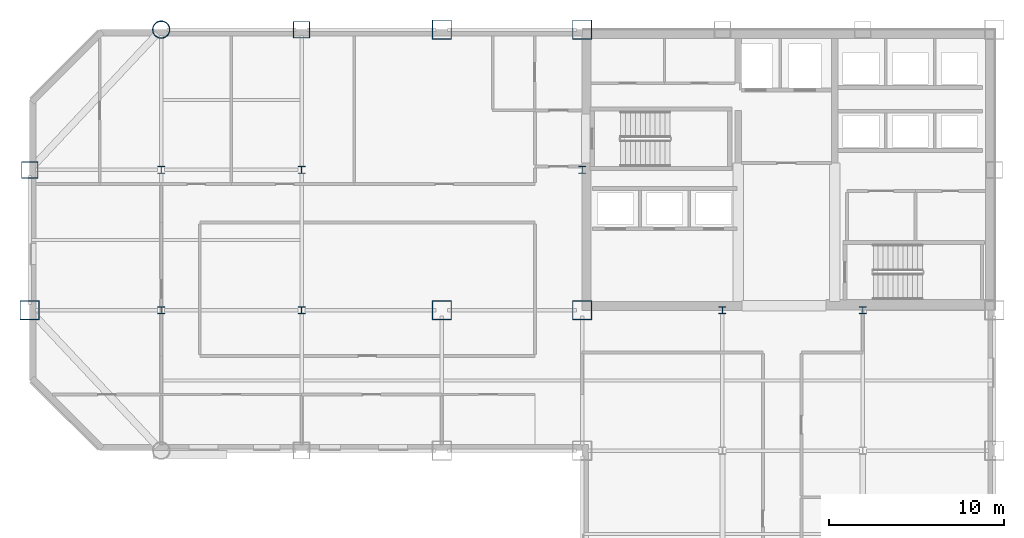
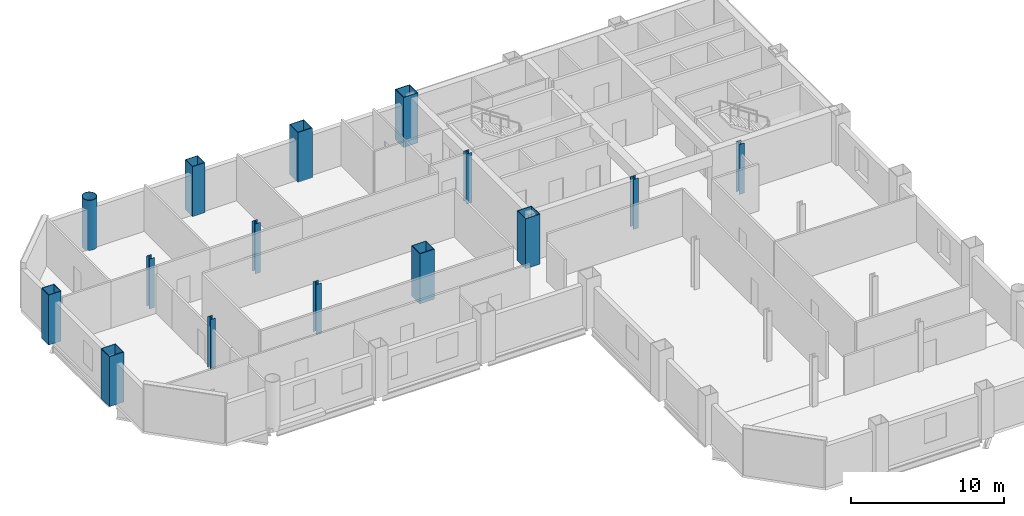
# One storey, part 3 of 10: 15 columns.
"""IFC4 building model written with IfcOpenShell, lengths in metres."""

from ifc_helpers import new_model, si_unit, direction, frame, origin, origin_2d, place, context, subcontext, project, spatial, hollow_rectangle, hollow_circle, i_section, extrude, material, material_profile, profile_set, type_object, element, save


model = new_model("IFC4")

# Units and contexts
model_context = context("Model", 3, precision=1e-05, world=origin(), true_north=direction((0.0, 1.0)))
body_context = subcontext(model_context, "Body", "Model", "MODEL_VIEW")
ifc_project = project(units=[si_unit("LENGTHUNIT", "METRE"), si_unit("AREAUNIT", "SQUARE_METRE"), si_unit("VOLUMEUNIT", "CUBIC_METRE"), si_unit("PLANEANGLEUNIT", "RADIAN"), si_unit("MASSUNIT", "GRAM", prefix="KILO")], contexts=[model_context])

# Site, building, storey
site_placement = place(None, origin())
site = spatial("IfcSite", under=ifc_project, at=site_placement, CompositionType="ELEMENT")
building_placement = place(site_placement, origin())
building = spatial("IfcBuilding", under=site, at=building_placement, Name="Qianrong Seaharbour Tower", CompositionType="ELEMENT")
storey_placement = place(building_placement, frame((0.0, 0.0, 167.0)))
storey = spatial("IfcBuildingStorey", under=building, at=storey_placement, Name="L40", CompositionType="ELEMENT", Elevation=167.0)

# Columns
ifc_material = material(Name="Structural steel SN490B", Category="steel")
ifc_material_profile_1 = material_profile(ifc_material, hollow_rectangle(XDim=1.10009765625, YDim=1.10009765625, WallThickness=0.0400390625, at=origin_2d()), Name="BOX1100x1100x40")
ifc_profile_set_1 = profile_set([ifc_material_profile_1], Name="Structural steel SN490B")
column_type_1 = type_object("IfcColumnType", Name="COL-CFT-1100", PredefinedType="COLUMN", material=ifc_profile_set_1)
for number, where, z_axis, x_axis, name in (
    (1, (9.0, 36.0, 0.0), (0.0, 0.0, 1.0), (1.0, 0.0, 0.0), "L40 Column MC-3 at G2/GF"),
    (2, (32.5, 36.0, 0.0), (0.0, 0.0, 1.0), (1.0, 0.0, 0.0), "L40 Column MC-3 at G5/GF"),
    (3, (32.5, 52.0, 0.0), (0.0, 0.0, 1.0), (1.0, 0.0, 0.0), "L40 Column MC-3 at G5/GH"),
    (4, (40.5, 36.0, 0.0), (0.0, 0.0, 1.0), (1.0, 0.0, 0.0), "L40 Column MC-3 at G6/GF"),
    (5, (40.5, 52.0, 0.0), (0.0, 0.0, 1.0), (1.0, 0.0, 0.0), "L40 Column MC-3 at G6/GH"),
):
    element("IfcColumn", number, at=place(storey_placement, frame(where, z_axis=z_axis, x_axis=x_axis)), inside=storey, type_object=column_type_1, Name=name, PredefinedType="COLUMN", context=body_context, shape_type="SweptSolid", body=[
        extrude(hollow_rectangle(XDim=1.10009765625, YDim=1.10009765625, WallThickness=0.0400390625, at=origin_2d()), origin(), (0.0, 0.0, 1.0), 4.0),
    ])
ifc_material_profile_2 = material_profile(ifc_material, hollow_circle(Radius=0.5, WallThickness=0.035888671875, at=origin_2d()), Name="CHS1000x36")
ifc_profile_set_2 = profile_set([ifc_material_profile_2], Name="Structural steel SN490B")
column_type_2 = type_object("IfcColumnType", Name="COL-CHS-1000", PredefinedType="COLUMN", material=ifc_profile_set_2)
column_placement = place(storey_placement, frame((16.5, 52.0, 0.0), z_axis=(0.0, 0.0, 1.0), x_axis=(1.0, 0.0, 0.0)))
element("IfcColumn", 6, at=column_placement, inside=storey, type_object=column_type_2, Name="L40 Column CC-2 at G3/GH", PredefinedType="COLUMN", context=body_context, shape_type="SweptSolid", body=[
    extrude(hollow_circle(Radius=0.5, WallThickness=0.035888671875, at=origin_2d()), origin(), (0.0, 0.0, 1.0), 4.0),
])
ifc_material_profile_3 = material_profile(ifc_material, i_section(OverallWidth=0.39990234375, OverallDepth=0.39990234375, WebThickness=0.012939453125, FlangeThickness=0.02099609375, FilletRadius=0.02197265625, at=origin_2d()), Name="H400x400x13x21")
ifc_profile_set_3 = profile_set([ifc_material_profile_3], Name="Structural steel SN490B")
column_type_3 = type_object("IfcColumnType", Name="COL-INT-H400", PredefinedType="COLUMN", material=ifc_profile_set_3)
for number, where, z_axis, x_axis, name in (
    (7, (16.5, 36.0, 0.0), (0.0, 0.0, 1.0), (1.0, 0.0, 0.0), "L40 Column IC-3 at G3/GF"),
    (8, (16.5, 44.0, 0.0), (0.0, 0.0, 1.0), (1.0, 0.0, 0.0), "L40 Column IC-3 at G3/GG"),
    (9, (24.5, 36.0, 0.0), (0.0, 0.0, 1.0), (1.0, 0.0, 0.0), "L40 Column IC-3 at G4/GF"),
    (10, (24.5, 44.0, 0.0), (0.0, 0.0, 1.0), (1.0, 0.0, 0.0), "L40 Column IC-3 at G4/GG"),
    (11, (40.5, 44.0, 0.0), (0.0, 0.0, 1.0), (1.0, 0.0, 0.0), "L40 Column IC-3 at G6/GG"),
    (12, (48.5, 36.0, 0.0), (0.0, 0.0, 1.0), (1.0, 0.0, 0.0), "L40 Column IC-3 at G7/GF"),
    (13, (56.5, 36.0, 0.0), (0.0, 0.0, 1.0), (1.0, 0.0, 0.0), "L40 Column IC-3 at G8/GF"),
):
    element("IfcColumn", number, at=place(storey_placement, frame(where, z_axis=z_axis, x_axis=x_axis)), inside=storey, type_object=column_type_3, Name=name, PredefinedType="COLUMN", context=body_context, shape_type="SweptSolid", body=[
        extrude(i_section(OverallWidth=0.39990234375, OverallDepth=0.39990234375, WebThickness=0.012939453125, FlangeThickness=0.02099609375, FilletRadius=0.02197265625, at=origin_2d()), origin(), (0.0, 0.0, 1.0), 4.0),
    ])
ifc_material_profile_4 = material_profile(ifc_material, hollow_rectangle(XDim=0.949951171875, YDim=0.949951171875, WallThickness=0.035888671875, at=origin_2d()), Name="BOX950x950x36")
ifc_profile_set_4 = profile_set([ifc_material_profile_4], Name="Structural steel SN490B")
column_type_4 = type_object("IfcColumnType", Name="COL-PER-950", PredefinedType="COLUMN", material=ifc_profile_set_4)
for number, where, z_axis, x_axis, name in (
    (14, (9.0, 44.0, 0.0), (0.0, 0.0, 1.0), (1.0, 0.0, 0.0), "L40 Column PC-2 at G2/GG"),
    (15, (24.5, 52.0, 0.0), (0.0, 0.0, 1.0), (1.0, 0.0, 0.0), "L40 Column PC-2 at G4/GH"),
):
    element("IfcColumn", number, at=place(storey_placement, frame(where, z_axis=z_axis, x_axis=x_axis)), inside=storey, type_object=column_type_4, Name=name, PredefinedType="COLUMN", context=body_context, shape_type="SweptSolid", body=[
        extrude(hollow_rectangle(XDim=0.949951171875, YDim=0.949951171875, WallThickness=0.035888671875, at=origin_2d()), origin(), (0.0, 0.0, 1.0), 4.0),
    ])

save(model, "model.ifc")
